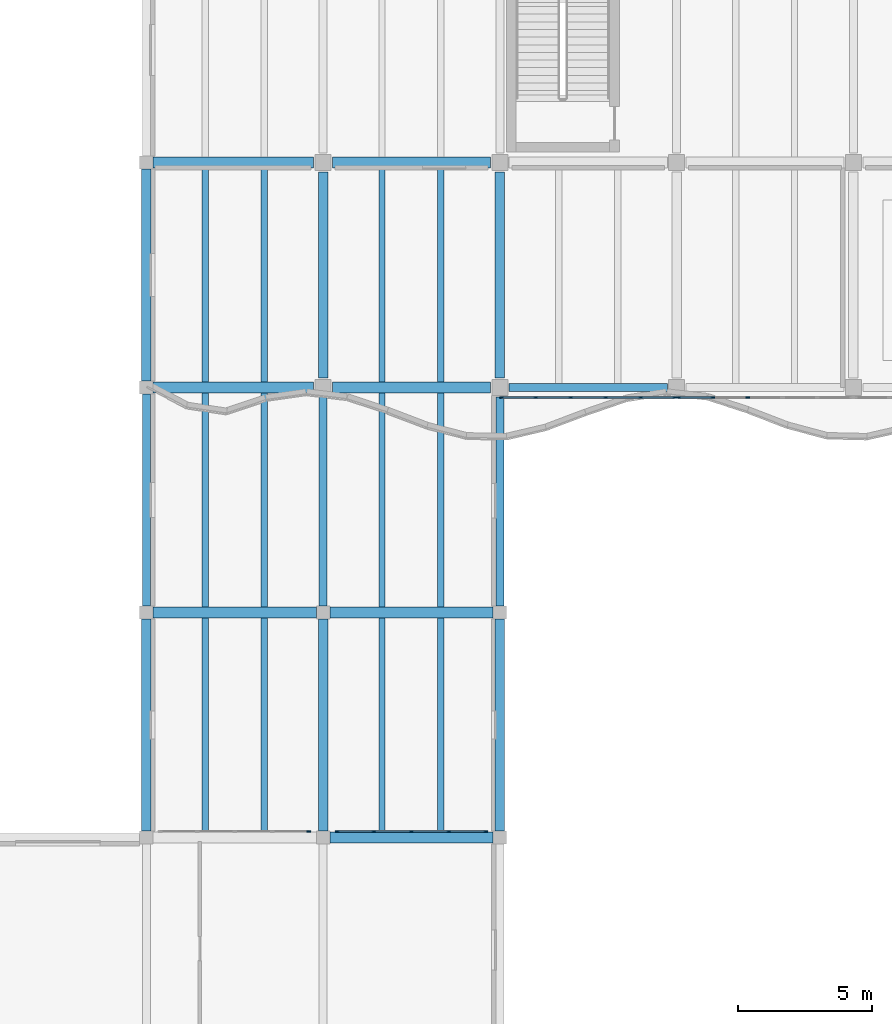
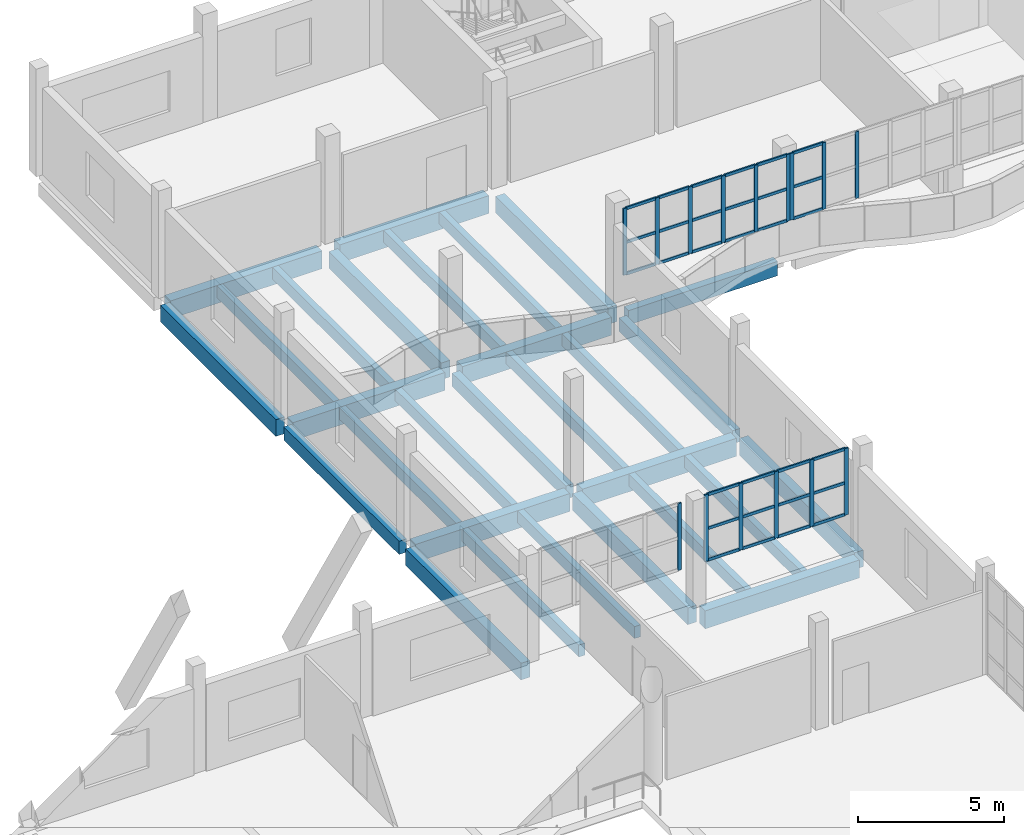
# One storey, part 8 of 76: 45 members, 29 beams, 4 elements without a shape of their own.
"""IFC4 building model written with IfcOpenShell, lengths in metres."""

from ifc_helpers import new_model, si_unit, direction, frame, origin, origin_2d, place, context, subcontext, project, spatial, rectangle, extrude, material, material_profile, profile_set, type_object, element, aggregate, save


model = new_model("IFC4")

# Units and contexts
model_context = context("Model", 3, precision=1e-05, world=origin(), true_north=direction((0.0, 1.0)))
body_context = subcontext(model_context, "Body", "Model", "MODEL_VIEW")
ifc_project = project(units=[si_unit("LENGTHUNIT", "METRE"), si_unit("AREAUNIT", "SQUARE_METRE"), si_unit("VOLUMEUNIT", "CUBIC_METRE"), si_unit("PLANEANGLEUNIT", "RADIAN"), si_unit("MASSUNIT", "GRAM", prefix="KILO")], contexts=[model_context])

# Site, building, storey
site_placement = place(None, origin())
site = spatial("IfcSite", under=ifc_project, at=site_placement, CompositionType="ELEMENT")
building_placement = place(site_placement, origin())
building = spatial("IfcBuilding", under=site, at=building_placement, Name="Qaldarim Faculty of Natural and Applied Sciences", CompositionType="ELEMENT")
storey_placement = place(building_placement, frame((0.0, 0.0, 9.89990234375)))
storey = spatial("IfcBuildingStorey", under=building, at=storey_placement, Name="L02", CompositionType="ELEMENT", Elevation=9.89990234375)

# Beams
ifc_material_1 = material(Name="Concrete C40/50", Category="concrete")
ifc_material_profile_1 = material_profile(ifc_material_1, rectangle(XDim=0.300048828125, YDim=0.550048828125, at=origin_2d()), Name="RC-B300x550")
ifc_profile_set_1 = profile_set([ifc_material_profile_1], Name="Concrete C40/50")
beam_type_1 = type_object("IfcBeamType", Name="FloorBeam-RC300x550", PredefinedType="BEAM", material=ifc_profile_set_1)
beam_1_placement = place(storey_placement, frame((33.0, 92.64990234375, -0.574951171875), z_axis=(0.0, 1.0, 0.0), x_axis=(-1.0, 0.0, 0.0)))
element("IfcBeam", 1, at=beam_1_placement, inside=storey, type_object=beam_type_1, Name="Beam RC-B300x550 L01 X06/Y12-Y13", PredefinedType="BEAM", context=body_context, shape_type="SweptSolid", body=[
    extrude(rectangle(XDim=0.300048828125, YDim=0.550048828125, at=origin_2d()), origin(), (0.0, 0.0, 1.0), 7.900146484375),
])
for number, where, z_axis, x_axis, name in (
    (2, (39.60009765625, 92.64990234375, -0.574951171875), (0.0, 1.0, 0.0), (-1.0, 0.0, 0.0), "Beam RC-B300x550 L01 X07/Y12-Y13"),
    (3, (46.199951171875, 92.64990234375, -0.574951171875), (0.0, 1.0, 0.0), (-1.0, 0.0, 0.0), "Beam RC-B300x550 L01 X08/Y12-Y13"),
):
    element("IfcBeam", number, at=place(storey_placement, frame(where, z_axis=z_axis, x_axis=x_axis)), inside=storey, type_object=beam_type_1, Name=name, PredefinedType="BEAM", context=body_context, shape_type="SweptSolid", body=[
        extrude(rectangle(XDim=0.300048828125, YDim=0.550048828125, at=origin_2d()), origin(), (0.0, 0.0, 1.0), 7.800048828125),
    ])
ifc_material_profile_2 = material_profile(ifc_material_1, rectangle(XDim=0.239990234375, YDim=0.5, at=origin_2d()), Name="RC-J240x500")
ifc_profile_set_2 = profile_set([ifc_material_profile_2], Name="Concrete C40/50")
beam_type_2 = type_object("IfcBeamType", Name="HeavyJoist-RC240x500", PredefinedType="JOIST", material=ifc_profile_set_2)
for number, where, z_axis, x_axis, name in (
    (4, (35.199951171875, 84.199951171875, -0.5498046875), (0.0, 1.0, 0.0), (-1.0, 0.0, 0.0), "Laboratory joist L01 bay X06Y11-1"),
    (5, (37.39990234375, 84.199951171875, -0.5498046875), (0.0, 1.0, 0.0), (-1.0, 0.0, 0.0), "Laboratory joist L01 bay X06Y11-2"),
    (6, (35.199951171875, 92.60009765625, -0.5498046875), (0.0, 1.0, 0.0), (-1.0, 0.0, 0.0), "Laboratory joist L01 bay X06Y12-1"),
    (7, (37.39990234375, 92.60009765625, -0.5498046875), (0.0, 1.0, 0.0), (-1.0, 0.0, 0.0), "Laboratory joist L01 bay X06Y12-2"),
    (8, (35.199951171875, 101.0, -0.5498046875), (0.0, 1.0, 0.0), (-1.0, 0.0, 0.0), "Laboratory joist L01 bay X06Y13-1"),
    (9, (37.39990234375, 101.0, -0.5498046875), (0.0, 1.0, 0.0), (-1.0, 0.0, 0.0), "Laboratory joist L01 bay X06Y13-2"),
    (10, (41.800048828125, 84.199951171875, -0.5498046875), (0.0, 1.0, 0.0), (-1.0, 0.0, 0.0), "Laboratory joist L01 bay X07Y11-1"),
    (11, (44.0, 84.199951171875, -0.5498046875), (0.0, 1.0, 0.0), (-1.0, 0.0, 0.0), "Laboratory joist L01 bay X07Y11-2"),
    (12, (41.800048828125, 92.60009765625, -0.5498046875), (0.0, 1.0, 0.0), (-1.0, 0.0, 0.0), "Laboratory joist L01 bay X07Y12-1"),
    (13, (44.0, 92.60009765625, -0.5498046875), (0.0, 1.0, 0.0), (-1.0, 0.0, 0.0), "Laboratory joist L01 bay X07Y12-2"),
    (14, (41.800048828125, 101.0, -0.5498046875), (0.0, 1.0, 0.0), (-1.0, 0.0, 0.0), "Laboratory joist L01 bay X07Y13-1"),
    (15, (44.0, 101.0, -0.5498046875), (0.0, 1.0, 0.0), (-1.0, 0.0, 0.0), "Laboratory joist L01 bay X07Y13-2"),
):
    element("IfcBeam", number, at=place(storey_placement, frame(where, z_axis=z_axis, x_axis=x_axis)), inside=storey, type_object=beam_type_2, Name=name, PredefinedType="JOIST", context=body_context, shape_type="SweptSolid", body=[
        extrude(rectangle(XDim=0.239990234375, YDim=0.5, at=origin_2d()), origin(), (0.0, 0.0, 1.0), 8.0),
    ])
ifc_material_2 = material(Name="Concrete C50/60", Category="concrete")
ifc_material_profile_3 = material_profile(ifc_material_2, rectangle(XDim=0.39990234375, YDim=0.75, at=origin_2d()), Name="RC-B400x750")
ifc_profile_set_3 = profile_set([ifc_material_profile_3], Name="Concrete C50/60")
beam_type_3 = type_object("IfcBeamType", Name="LabGirder-RC400x750", PredefinedType="BEAM", material=ifc_profile_set_3)
beam_2_placement = place(storey_placement, frame((39.85009765625, 84.0, -0.6748046875), z_axis=(1.0, 0.0, 0.0), x_axis=(0.0, 1.0, 0.0)))
element("IfcBeam", 16, at=beam_2_placement, inside=storey, type_object=beam_type_3, Name="Beam RC-B400x750 L01 X07-X08/Y11", PredefinedType="BEAM", context=body_context, shape_type="SweptSolid", body=[
    extrude(rectangle(XDim=0.39990234375, YDim=0.75, at=origin_2d()), origin(), (0.0, 0.0, 1.0), 6.099853515625),
])
beam_3_placement = place(storey_placement, frame((33.25, 92.39990234375, -0.6748046875), z_axis=(1.0, 0.0, 0.0), x_axis=(0.0, 1.0, 0.0)))
element("IfcBeam", 17, at=beam_3_placement, inside=storey, type_object=beam_type_3, Name="Beam RC-B400x750 L01 X06-X07/Y12", PredefinedType="BEAM", context=body_context, shape_type="SweptSolid", body=[
    extrude(rectangle(XDim=0.39990234375, YDim=0.75, at=origin_2d()), origin(), (0.0, 0.0, 1.0), 6.10009765625),
])
beam_4_placement = place(storey_placement, frame((39.85009765625, 92.39990234375, -0.6748046875), z_axis=(1.0, 0.0, 0.0), x_axis=(0.0, 1.0, 0.0)))
element("IfcBeam", 18, at=beam_4_placement, inside=storey, type_object=beam_type_3, Name="Beam RC-B400x750 L01 X07-X08/Y12", PredefinedType="BEAM", context=body_context, shape_type="SweptSolid", body=[
    extrude(rectangle(XDim=0.39990234375, YDim=0.75, at=origin_2d()), origin(), (0.0, 0.0, 1.0), 6.099853515625),
])
beam_5_placement = place(storey_placement, frame((33.25, 100.800048828125, -0.6748046875), z_axis=(1.0, 0.0, 0.0), x_axis=(0.0, 1.0, 0.0)))
element("IfcBeam", 19, at=beam_5_placement, inside=storey, type_object=beam_type_3, Name="Beam RC-B400x750 L01 X06-X07/Y13", PredefinedType="BEAM", context=body_context, shape_type="SweptSolid", body=[
    extrude(rectangle(XDim=0.39990234375, YDim=0.75, at=origin_2d()), origin(), (0.0, 0.0, 1.0), 6.0),
])
beam_6_placement = place(storey_placement, frame((39.949951171875, 100.800048828125, -0.6748046875), z_axis=(1.0, 0.0, 0.0), x_axis=(0.0, 1.0, 0.0)))
element("IfcBeam", 20, at=beam_6_placement, inside=storey, type_object=beam_type_3, Name="Beam RC-B400x750 L01 X07-X08/Y13", PredefinedType="BEAM", context=body_context, shape_type="SweptSolid", body=[
    extrude(rectangle(XDim=0.39990234375, YDim=0.75, at=origin_2d()), origin(), (0.0, 0.0, 1.0), 5.900146484375),
])
beam_7_placement = place(storey_placement, frame((33.25, 109.199951171875, -0.6748046875), z_axis=(1.0, 0.0, 0.0), x_axis=(0.0, 1.0, 0.0)))
element("IfcBeam", 21, at=beam_7_placement, inside=storey, type_object=beam_type_3, Name="Beam RC-B400x750 L01 X06-X07/Y14", PredefinedType="BEAM", context=body_context, shape_type="SweptSolid", body=[
    extrude(rectangle(XDim=0.39990234375, YDim=0.75, at=origin_2d()), origin(), (0.0, 0.0, 1.0), 6.0),
])
beam_8_placement = place(storey_placement, frame((39.949951171875, 109.199951171875, -0.6748046875), z_axis=(1.0, 0.0, 0.0), x_axis=(0.0, 1.0, 0.0)))
element("IfcBeam", 22, at=beam_8_placement, inside=storey, type_object=beam_type_3, Name="Beam RC-B400x750 L01 X07-X08/Y14", PredefinedType="BEAM", context=body_context, shape_type="SweptSolid", body=[
    extrude(rectangle(XDim=0.39990234375, YDim=0.75, at=origin_2d()), origin(), (0.0, 0.0, 1.0), 5.900146484375),
])

# Curtain wall, member
ifc_material_3 = material(Name="Anodised aluminium AW-6063", Category="aluminium")
curtain_wall_type = type_object("IfcCurtainWallType", Name="CurtainWallSystem-M1400", PredefinedType="USERDEFINED", material=ifc_material_3)
curtain_wall_1_placement = place(storey_placement, origin())
curtain_wall_1 = element("IfcCurtainWall", 23, at=curtain_wall_1_placement, inside=storey, type_object=curtain_wall_type, Name="Curtain wall CW-V4RIB-L02-X06", ObjectType="STICK CURTAIN WALL", PredefinedType="USERDEFINED")
ifc_material_profile_4 = material_profile(ifc_material_3, rectangle(XDim=0.06005859375, YDim=0.14990234375, at=origin_2d()), Name="ALU-M60x150")
ifc_profile_set_4 = profile_set([ifc_material_profile_4], Name="Anodised aluminium AW-6063")
member_type_1 = type_object("IfcMemberType", Name="Mullion-ALU60x150", PredefinedType="MULLION", material=ifc_profile_set_4)
member_1_placement = place(storey_placement, frame((39.070068359375, 84.219970703125, 1.4501953125), z_axis=(0.0, 0.0, 1.0), x_axis=(0.0, 1.0, 0.0)))
member_1 = element("IfcMember", 24, at=member_1_placement, type_object=member_type_1, Name="Mullion 5 of CW-V4RIB-L02-X06", PredefinedType="MULLION", context=body_context, shape_type="SweptSolid", body=[
    extrude(rectangle(XDim=0.06005859375, YDim=0.14990234375, at=origin_2d()), origin(), (0.0, 0.0, 1.0), 2.789794921875),
])
aggregate(curtain_wall_1, [member_1])

# Curtain wall, members
curtain_wall_2_placement = place(storey_placement, origin())
curtain_wall_2 = element("IfcCurtainWall", 25, at=curtain_wall_2_placement, inside=storey, type_object=curtain_wall_type, Name="Curtain wall CW-V4RIB-L02-X07", ObjectType="STICK CURTAIN WALL", PredefinedType="USERDEFINED")
member_2_placement = place(storey_placement, frame((40.1298828125, 84.219970703125, 1.4501953125), z_axis=(0.0, 0.0, 1.0), x_axis=(0.0, 1.0, 0.0)))
member_2 = element("IfcMember", 26, at=member_2_placement, type_object=member_type_1, Name="Mullion 1 of CW-V4RIB-L02-X07", PredefinedType="MULLION", context=body_context, shape_type="SweptSolid", body=[
    extrude(rectangle(XDim=0.06005859375, YDim=0.14990234375, at=origin_2d()), origin(), (0.0, 0.0, 1.0), 2.789794921875),
])
member_3_placement = place(storey_placement, frame((41.5, 84.219970703125, 1.4501953125), z_axis=(0.0, 0.0, 1.0), x_axis=(0.0, 1.0, 0.0)))
member_3 = element("IfcMember", 27, at=member_3_placement, type_object=member_type_1, Name="Mullion 2 of CW-V4RIB-L02-X07", PredefinedType="MULLION", context=body_context, shape_type="SweptSolid", body=[
    extrude(rectangle(XDim=0.06005859375, YDim=0.14990234375, at=origin_2d()), origin(), (0.0, 0.0, 1.0), 2.789794921875),
])
member_4_placement = place(storey_placement, frame((42.89990234375, 84.219970703125, 1.4501953125), z_axis=(0.0, 0.0, 1.0), x_axis=(0.0, 1.0, 0.0)))
member_4 = element("IfcMember", 28, at=member_4_placement, type_object=member_type_1, Name="Mullion 3 of CW-V4RIB-L02-X07", PredefinedType="MULLION", context=body_context, shape_type="SweptSolid", body=[
    extrude(rectangle(XDim=0.06005859375, YDim=0.14990234375, at=origin_2d()), origin(), (0.0, 0.0, 1.0), 2.789794921875),
])
member_5_placement = place(storey_placement, frame((44.300048828125, 84.219970703125, 1.4501953125), z_axis=(0.0, 0.0, 1.0), x_axis=(0.0, 1.0, 0.0)))
member_5 = element("IfcMember", 29, at=member_5_placement, type_object=member_type_1, Name="Mullion 4 of CW-V4RIB-L02-X07", PredefinedType="MULLION", context=body_context, shape_type="SweptSolid", body=[
    extrude(rectangle(XDim=0.06005859375, YDim=0.14990234375, at=origin_2d()), origin(), (0.0, 0.0, 1.0), 2.789794921875),
])
member_6_placement = place(storey_placement, frame((45.669921875, 84.219970703125, 1.4501953125), z_axis=(0.0, 0.0, 1.0), x_axis=(0.0, 1.0, 0.0)))
member_6 = element("IfcMember", 30, at=member_6_placement, type_object=member_type_1, Name="Mullion 5 of CW-V4RIB-L02-X07", PredefinedType="MULLION", context=body_context, shape_type="SweptSolid", body=[
    extrude(rectangle(XDim=0.06005859375, YDim=0.14990234375, at=origin_2d()), origin(), (0.0, 0.0, 1.0), 2.789794921875),
])

curtain_wall_3_placement = place(storey_placement, origin())
curtain_wall_3 = element("IfcCurtainWall", 31, at=curtain_wall_3_placement, inside=storey, type_object=curtain_wall_type, Name="Curtain wall CW-V4RIB-L02-X08", ObjectType="STICK CURTAIN WALL", PredefinedType="USERDEFINED")
member_7_placement = place(storey_placement, frame((46.27001953125, 100.419921875, 1.4501953125), z_axis=(0.0, 0.0, 1.0), x_axis=(0.0, 1.0, 0.0)))
member_7 = element("IfcMember", 32, at=member_7_placement, type_object=member_type_1, Name="Mullion 1 of CW-V4RIB-L02-X08", PredefinedType="MULLION", context=body_context, shape_type="SweptSolid", body=[
    extrude(rectangle(XDim=0.06005859375, YDim=0.14990234375, at=origin_2d()), origin(), (0.0, 0.0, 1.0), 2.789794921875),
])
member_8_placement = place(storey_placement, frame((47.5439453125, 100.419921875, 1.4501953125), z_axis=(0.0, 0.0, 1.0), x_axis=(0.0, 1.0, 0.0)))
member_8 = element("IfcMember", 33, at=member_8_placement, type_object=member_type_1, Name="Mullion 2 of CW-V4RIB-L02-X08", PredefinedType="MULLION", context=body_context, shape_type="SweptSolid", body=[
    extrude(rectangle(XDim=0.06005859375, YDim=0.14990234375, at=origin_2d()), origin(), (0.0, 0.0, 1.0), 2.789794921875),
])
member_9_placement = place(storey_placement, frame((48.847900390625, 100.419921875, 1.4501953125), z_axis=(0.0, 0.0, 1.0), x_axis=(0.0, 1.0, 0.0)))
member_9 = element("IfcMember", 34, at=member_9_placement, type_object=member_type_1, Name="Mullion 3 of CW-V4RIB-L02-X08", PredefinedType="MULLION", context=body_context, shape_type="SweptSolid", body=[
    extrude(rectangle(XDim=0.06005859375, YDim=0.14990234375, at=origin_2d()), origin(), (0.0, 0.0, 1.0), 2.789794921875),
])
member_10_placement = place(storey_placement, frame((50.152099609375, 100.419921875, 1.4501953125), z_axis=(0.0, 0.0, 1.0), x_axis=(0.0, 1.0, 0.0)))
member_10 = element("IfcMember", 35, at=member_10_placement, type_object=member_type_1, Name="Mullion 4 of CW-V4RIB-L02-X08", PredefinedType="MULLION", context=body_context, shape_type="SweptSolid", body=[
    extrude(rectangle(XDim=0.06005859375, YDim=0.14990234375, at=origin_2d()), origin(), (0.0, 0.0, 1.0), 2.789794921875),
])
member_11_placement = place(storey_placement, frame((51.4560546875, 100.419921875, 1.4501953125), z_axis=(0.0, 0.0, 1.0), x_axis=(0.0, 1.0, 0.0)))
member_11 = element("IfcMember", 36, at=member_11_placement, type_object=member_type_1, Name="Mullion 5 of CW-V4RIB-L02-X08", PredefinedType="MULLION", context=body_context, shape_type="SweptSolid", body=[
    extrude(rectangle(XDim=0.06005859375, YDim=0.14990234375, at=origin_2d()), origin(), (0.0, 0.0, 1.0), 2.789794921875),
])
member_12_placement = place(storey_placement, frame((52.72998046875, 100.419921875, 1.4501953125), z_axis=(0.0, 0.0, 1.0), x_axis=(0.0, 1.0, 0.0)))
member_12 = element("IfcMember", 37, at=member_12_placement, type_object=member_type_1, Name="Mullion 6 of CW-V4RIB-L02-X08", PredefinedType="MULLION", context=body_context, shape_type="SweptSolid", body=[
    extrude(rectangle(XDim=0.06005859375, YDim=0.14990234375, at=origin_2d()), origin(), (0.0, 0.0, 1.0), 2.789794921875),
])

curtain_wall_4_placement = place(storey_placement, origin())
curtain_wall_4 = element("IfcCurtainWall", 38, at=curtain_wall_4_placement, inside=storey, type_object=curtain_wall_type, Name="Curtain wall CW-V4RIB-L02-X09", ObjectType="STICK CURTAIN WALL", PredefinedType="USERDEFINED")
member_13_placement = place(storey_placement, frame((52.8701171875, 100.419921875, 1.4501953125), z_axis=(0.0, 0.0, 1.0), x_axis=(0.0, 1.0, 0.0)))
member_13 = element("IfcMember", 39, at=member_13_placement, type_object=member_type_1, Name="Mullion 1 of CW-V4RIB-L02-X09", PredefinedType="MULLION", context=body_context, shape_type="SweptSolid", body=[
    extrude(rectangle(XDim=0.06005859375, YDim=0.14990234375, at=origin_2d()), origin(), (0.0, 0.0, 1.0), 2.789794921875),
])
member_14_placement = place(storey_placement, frame((54.14404296875, 100.419921875, 1.4501953125), z_axis=(0.0, 0.0, 1.0), x_axis=(0.0, 1.0, 0.0)))
member_14 = element("IfcMember", 40, at=member_14_placement, type_object=member_type_1, Name="Mullion 2 of CW-V4RIB-L02-X09", PredefinedType="MULLION", context=body_context, shape_type="SweptSolid", body=[
    extrude(rectangle(XDim=0.06005859375, YDim=0.14990234375, at=origin_2d()), origin(), (0.0, 0.0, 1.0), 2.789794921875),
])
member_15_placement = place(storey_placement, frame((55.447998046875, 100.419921875, 1.4501953125), z_axis=(0.0, 0.0, 1.0), x_axis=(0.0, 1.0, 0.0)))
member_15 = element("IfcMember", 41, at=member_15_placement, type_object=member_type_1, Name="Mullion 3 of CW-V4RIB-L02-X09", PredefinedType="MULLION", context=body_context, shape_type="SweptSolid", body=[
    extrude(rectangle(XDim=0.06005859375, YDim=0.14990234375, at=origin_2d()), origin(), (0.0, 0.0, 1.0), 2.789794921875),
])

# Beams
ifc_material_profile_5 = material_profile(ifc_material_1, rectangle(XDim=0.35009765625, YDim=0.699951171875, at=origin_2d()), Name="RC-B350x700")
ifc_profile_set_5 = profile_set([ifc_material_profile_5], Name="Concrete C40/50")
beam_type_4 = type_object("IfcBeamType", Name="PrimaryGirder-RC350x700", PredefinedType="BEAM", material=ifc_profile_set_5)
for number, where, z_axis, x_axis, name in (
    (42, (33.0, 84.25, -0.64990234375), (0.0, 1.0, 0.0), (-1.0, 0.0, 0.0), "Beam RC-B350x700 L01 X06/Y11-Y12"),
    (43, (33.0, 101.050048828125, -0.64990234375), (0.0, 1.0, 0.0), (-1.0, 0.0, 0.0), "Beam RC-B350x700 L01 X06/Y13-Y14"),
    (44, (39.60009765625, 84.25, -0.64990234375), (0.0, 1.0, 0.0), (-1.0, 0.0, 0.0), "Beam RC-B350x700 L01 X07/Y11-Y12"),
):
    element("IfcBeam", number, at=place(storey_placement, frame(where, z_axis=z_axis, x_axis=x_axis)), inside=storey, type_object=beam_type_4, Name=name, PredefinedType="BEAM", context=body_context, shape_type="SweptSolid", body=[
        extrude(rectangle(XDim=0.35009765625, YDim=0.699951171875, at=origin_2d()), origin(), (0.0, 0.0, 1.0), 7.89990234375),
    ])
beam_9_placement = place(storey_placement, frame((39.60009765625, 101.14990234375, -0.64990234375), z_axis=(0.0, 1.0, 0.0), x_axis=(-1.0, 0.0, 0.0)))
element("IfcBeam", 45, at=beam_9_placement, inside=storey, type_object=beam_type_4, Name="Beam RC-B350x700 L01 X07/Y13-Y14", PredefinedType="BEAM", context=body_context, shape_type="SweptSolid", body=[
    extrude(rectangle(XDim=0.35009765625, YDim=0.699951171875, at=origin_2d()), origin(), (0.0, 0.0, 1.0), 7.7001953125),
])
beam_10_placement = place(storey_placement, frame((46.199951171875, 84.25, -0.64990234375), z_axis=(0.0, 1.0, 0.0), x_axis=(-1.0, 0.0, 0.0)))
element("IfcBeam", 46, at=beam_10_placement, inside=storey, type_object=beam_type_4, Name="Beam RC-B350x700 L01 X08/Y11-Y12", PredefinedType="BEAM", context=body_context, shape_type="SweptSolid", body=[
    extrude(rectangle(XDim=0.35009765625, YDim=0.699951171875, at=origin_2d()), origin(), (0.0, 0.0, 1.0), 7.89990234375),
])
beam_11_placement = place(storey_placement, frame((46.199951171875, 101.14990234375, -0.64990234375), z_axis=(0.0, 1.0, 0.0), x_axis=(-1.0, 0.0, 0.0)))
element("IfcBeam", 47, at=beam_11_placement, inside=storey, type_object=beam_type_4, Name="Beam RC-B350x700 L01 X08/Y13-Y14", PredefinedType="BEAM", context=body_context, shape_type="SweptSolid", body=[
    extrude(rectangle(XDim=0.35009765625, YDim=0.699951171875, at=origin_2d()), origin(), (0.0, 0.0, 1.0), 7.7001953125),
])
ifc_material_4 = material(Name="Precast concrete C40/50", Category="concrete")
ifc_material_profile_6 = material_profile(ifc_material_4, rectangle(XDim=0.300048828125, YDim=0.60009765625, at=origin_2d()), Name="RC-SP300x600")
ifc_profile_set_6 = profile_set([ifc_material_profile_6], Name="Precast concrete C40/50")
beam_type_5 = type_object("IfcBeamType", Name="SpandrelBeam-RC300x600", PredefinedType="SPANDREL", material=ifc_profile_set_6)
beam_12_placement = place(storey_placement, frame((46.550048828125, 100.800048828125, -0.599853515625), z_axis=(1.0, 0.0, 0.0), x_axis=(0.0, 1.0, 0.0)))
element("IfcBeam", 48, at=beam_12_placement, inside=storey, type_object=beam_type_5, Name="Beam RC-SP300x600 L01 X08-X09/Y13", PredefinedType="SPANDREL", context=body_context, shape_type="SweptSolid", body=[
    extrude(rectangle(XDim=0.300048828125, YDim=0.60009765625, at=origin_2d()), origin(), (0.0, 0.0, 1.0), 5.89990234375),
])

# Member
ifc_material_profile_7 = material_profile(ifc_material_3, rectangle(XDim=0.06005859375, YDim=0.1201171875, at=origin_2d()), Name="ALU-T60x120")
ifc_profile_set_7 = profile_set([ifc_material_profile_7], Name="Anodised aluminium AW-6063")
member_type_2 = type_object("IfcMemberType", Name="Transom-ALU60x120", PredefinedType="USERDEFINED", material=ifc_profile_set_7)
member_16_placement = place(storey_placement, frame((40.159912109375, 84.219970703125, 1.47998046875), z_axis=(1.0, 0.0, 0.0), x_axis=(0.0, 1.0, 0.0)))
member_16 = element("IfcMember", 49, at=member_16_placement, type_object=member_type_2, Name="Transom 1-1 of CW-V4RIB-L02-X07", ObjectType="TRANSOM", PredefinedType="USERDEFINED", context=body_context, shape_type="SweptSolid", body=[
    extrude(rectangle(XDim=0.06005859375, YDim=0.1201171875, at=origin_2d()), origin(), (0.0, 0.0, 1.0), 1.31005859375),
])

member_17_placement = place(storey_placement, frame((40.159912109375, 84.219970703125, 2.800048828125), z_axis=(1.0, 0.0, 0.0), x_axis=(0.0, 1.0, 0.0)))
member_17 = element("IfcMember", 50, at=member_17_placement, type_object=member_type_2, Name="Transom 1-2 of CW-V4RIB-L02-X07", ObjectType="TRANSOM", PredefinedType="USERDEFINED", context=body_context, shape_type="SweptSolid", body=[
    extrude(rectangle(XDim=0.06005859375, YDim=0.1201171875, at=origin_2d()), origin(), (0.0, 0.0, 1.0), 1.31005859375),
])

member_18_placement = place(storey_placement, frame((40.159912109375, 84.219970703125, 4.210205078125), z_axis=(1.0, 0.0, 0.0), x_axis=(0.0, 1.0, 0.0)))
member_18 = element("IfcMember", 51, at=member_18_placement, type_object=member_type_2, Name="Transom 1-3 of CW-V4RIB-L02-X07", ObjectType="TRANSOM", PredefinedType="USERDEFINED", context=body_context, shape_type="SweptSolid", body=[
    extrude(rectangle(XDim=0.06005859375, YDim=0.1201171875, at=origin_2d()), origin(), (0.0, 0.0, 1.0), 1.31005859375),
])

member_19_placement = place(storey_placement, frame((41.530029296875, 84.219970703125, 1.47998046875), z_axis=(1.0, 0.0, 0.0), x_axis=(0.0, 1.0, 0.0)))
member_19 = element("IfcMember", 52, at=member_19_placement, type_object=member_type_2, Name="Transom 2-1 of CW-V4RIB-L02-X07", ObjectType="TRANSOM", PredefinedType="USERDEFINED", context=body_context, shape_type="SweptSolid", body=[
    extrude(rectangle(XDim=0.06005859375, YDim=0.1201171875, at=origin_2d()), origin(), (0.0, 0.0, 1.0), 1.340087890625),
])

member_20_placement = place(storey_placement, frame((41.530029296875, 84.219970703125, 2.800048828125), z_axis=(1.0, 0.0, 0.0), x_axis=(0.0, 1.0, 0.0)))
member_20 = element("IfcMember", 53, at=member_20_placement, type_object=member_type_2, Name="Transom 2-2 of CW-V4RIB-L02-X07", ObjectType="TRANSOM", PredefinedType="USERDEFINED", context=body_context, shape_type="SweptSolid", body=[
    extrude(rectangle(XDim=0.06005859375, YDim=0.1201171875, at=origin_2d()), origin(), (0.0, 0.0, 1.0), 1.340087890625),
])

member_21_placement = place(storey_placement, frame((41.530029296875, 84.219970703125, 4.210205078125), z_axis=(1.0, 0.0, 0.0), x_axis=(0.0, 1.0, 0.0)))
member_21 = element("IfcMember", 54, at=member_21_placement, type_object=member_type_2, Name="Transom 2-3 of CW-V4RIB-L02-X07", ObjectType="TRANSOM", PredefinedType="USERDEFINED", context=body_context, shape_type="SweptSolid", body=[
    extrude(rectangle(XDim=0.06005859375, YDim=0.1201171875, at=origin_2d()), origin(), (0.0, 0.0, 1.0), 1.340087890625),
])

member_22_placement = place(storey_placement, frame((42.929931640625, 84.219970703125, 1.47998046875), z_axis=(1.0, 0.0, 0.0), x_axis=(0.0, 1.0, 0.0)))
member_22 = element("IfcMember", 55, at=member_22_placement, type_object=member_type_2, Name="Transom 3-1 of CW-V4RIB-L02-X07", ObjectType="TRANSOM", PredefinedType="USERDEFINED", context=body_context, shape_type="SweptSolid", body=[
    extrude(rectangle(XDim=0.06005859375, YDim=0.1201171875, at=origin_2d()), origin(), (0.0, 0.0, 1.0), 1.340087890625),
])

member_23_placement = place(storey_placement, frame((42.929931640625, 84.219970703125, 2.800048828125), z_axis=(1.0, 0.0, 0.0), x_axis=(0.0, 1.0, 0.0)))
member_23 = element("IfcMember", 56, at=member_23_placement, type_object=member_type_2, Name="Transom 3-2 of CW-V4RIB-L02-X07", ObjectType="TRANSOM", PredefinedType="USERDEFINED", context=body_context, shape_type="SweptSolid", body=[
    extrude(rectangle(XDim=0.06005859375, YDim=0.1201171875, at=origin_2d()), origin(), (0.0, 0.0, 1.0), 1.340087890625),
])

member_24_placement = place(storey_placement, frame((42.929931640625, 84.219970703125, 4.210205078125), z_axis=(1.0, 0.0, 0.0), x_axis=(0.0, 1.0, 0.0)))
member_24 = element("IfcMember", 57, at=member_24_placement, type_object=member_type_2, Name="Transom 3-3 of CW-V4RIB-L02-X07", ObjectType="TRANSOM", PredefinedType="USERDEFINED", context=body_context, shape_type="SweptSolid", body=[
    extrude(rectangle(XDim=0.06005859375, YDim=0.1201171875, at=origin_2d()), origin(), (0.0, 0.0, 1.0), 1.340087890625),
])

member_25_placement = place(storey_placement, frame((44.330078125, 84.219970703125, 1.47998046875), z_axis=(1.0, 0.0, 0.0), x_axis=(0.0, 1.0, 0.0)))
member_25 = element("IfcMember", 58, at=member_25_placement, type_object=member_type_2, Name="Transom 4-1 of CW-V4RIB-L02-X07", ObjectType="TRANSOM", PredefinedType="USERDEFINED", context=body_context, shape_type="SweptSolid", body=[
    extrude(rectangle(XDim=0.06005859375, YDim=0.1201171875, at=origin_2d()), origin(), (0.0, 0.0, 1.0), 1.309814453125),
])

member_26_placement = place(storey_placement, frame((44.330078125, 84.219970703125, 2.800048828125), z_axis=(1.0, 0.0, 0.0), x_axis=(0.0, 1.0, 0.0)))
member_26 = element("IfcMember", 59, at=member_26_placement, type_object=member_type_2, Name="Transom 4-2 of CW-V4RIB-L02-X07", ObjectType="TRANSOM", PredefinedType="USERDEFINED", context=body_context, shape_type="SweptSolid", body=[
    extrude(rectangle(XDim=0.06005859375, YDim=0.1201171875, at=origin_2d()), origin(), (0.0, 0.0, 1.0), 1.309814453125),
])

member_27_placement = place(storey_placement, frame((44.330078125, 84.219970703125, 4.210205078125), z_axis=(1.0, 0.0, 0.0), x_axis=(0.0, 1.0, 0.0)))
member_27 = element("IfcMember", 60, at=member_27_placement, type_object=member_type_2, Name="Transom 4-3 of CW-V4RIB-L02-X07", ObjectType="TRANSOM", PredefinedType="USERDEFINED", context=body_context, shape_type="SweptSolid", body=[
    extrude(rectangle(XDim=0.06005859375, YDim=0.1201171875, at=origin_2d()), origin(), (0.0, 0.0, 1.0), 1.309814453125),
])

aggregate(curtain_wall_2, [member_2, member_3, member_4, member_5, member_6, member_16, member_17, member_18, member_19, member_20, member_21, member_22, member_23, member_24, member_25, member_26, member_27])

member_28_placement = place(storey_placement, frame((46.300048828125, 100.419921875, 1.47998046875), z_axis=(1.0, 0.0, 0.0), x_axis=(0.0, 1.0, 0.0)))
member_28 = element("IfcMember", 61, at=member_28_placement, type_object=member_type_2, Name="Transom 1-1 of CW-V4RIB-L02-X08", ObjectType="TRANSOM", PredefinedType="USERDEFINED", context=body_context, shape_type="SweptSolid", body=[
    extrude(rectangle(XDim=0.06005859375, YDim=0.1201171875, at=origin_2d()), origin(), (0.0, 0.0, 1.0), 1.2138671875),
])

member_29_placement = place(storey_placement, frame((46.300048828125, 100.419921875, 2.800048828125), z_axis=(1.0, 0.0, 0.0), x_axis=(0.0, 1.0, 0.0)))
member_29 = element("IfcMember", 62, at=member_29_placement, type_object=member_type_2, Name="Transom 1-2 of CW-V4RIB-L02-X08", ObjectType="TRANSOM", PredefinedType="USERDEFINED", context=body_context, shape_type="SweptSolid", body=[
    extrude(rectangle(XDim=0.06005859375, YDim=0.1201171875, at=origin_2d()), origin(), (0.0, 0.0, 1.0), 1.2138671875),
])

member_30_placement = place(storey_placement, frame((46.300048828125, 100.419921875, 4.210205078125), z_axis=(1.0, 0.0, 0.0), x_axis=(0.0, 1.0, 0.0)))
member_30 = element("IfcMember", 63, at=member_30_placement, type_object=member_type_2, Name="Transom 1-3 of CW-V4RIB-L02-X08", ObjectType="TRANSOM", PredefinedType="USERDEFINED", context=body_context, shape_type="SweptSolid", body=[
    extrude(rectangle(XDim=0.06005859375, YDim=0.1201171875, at=origin_2d()), origin(), (0.0, 0.0, 1.0), 1.2138671875),
])

member_31_placement = place(storey_placement, frame((47.573974609375, 100.419921875, 1.47998046875), z_axis=(1.0, 0.0, 0.0), x_axis=(0.0, 1.0, 0.0)))
member_31 = element("IfcMember", 64, at=member_31_placement, type_object=member_type_2, Name="Transom 2-1 of CW-V4RIB-L02-X08", ObjectType="TRANSOM", PredefinedType="USERDEFINED", context=body_context, shape_type="SweptSolid", body=[
    extrude(rectangle(XDim=0.06005859375, YDim=0.1201171875, at=origin_2d()), origin(), (0.0, 0.0, 1.0), 1.244140625),
])

member_32_placement = place(storey_placement, frame((47.573974609375, 100.419921875, 2.800048828125), z_axis=(1.0, 0.0, 0.0), x_axis=(0.0, 1.0, 0.0)))
member_32 = element("IfcMember", 65, at=member_32_placement, type_object=member_type_2, Name="Transom 2-2 of CW-V4RIB-L02-X08", ObjectType="TRANSOM", PredefinedType="USERDEFINED", context=body_context, shape_type="SweptSolid", body=[
    extrude(rectangle(XDim=0.06005859375, YDim=0.1201171875, at=origin_2d()), origin(), (0.0, 0.0, 1.0), 1.244140625),
])

member_33_placement = place(storey_placement, frame((47.573974609375, 100.419921875, 4.210205078125), z_axis=(1.0, 0.0, 0.0), x_axis=(0.0, 1.0, 0.0)))
member_33 = element("IfcMember", 66, at=member_33_placement, type_object=member_type_2, Name="Transom 2-3 of CW-V4RIB-L02-X08", ObjectType="TRANSOM", PredefinedType="USERDEFINED", context=body_context, shape_type="SweptSolid", body=[
    extrude(rectangle(XDim=0.06005859375, YDim=0.1201171875, at=origin_2d()), origin(), (0.0, 0.0, 1.0), 1.244140625),
])

member_34_placement = place(storey_placement, frame((48.8779296875, 100.419921875, 1.47998046875), z_axis=(1.0, 0.0, 0.0), x_axis=(0.0, 1.0, 0.0)))
member_34 = element("IfcMember", 67, at=member_34_placement, type_object=member_type_2, Name="Transom 3-1 of CW-V4RIB-L02-X08", ObjectType="TRANSOM", PredefinedType="USERDEFINED", context=body_context, shape_type="SweptSolid", body=[
    extrude(rectangle(XDim=0.06005859375, YDim=0.1201171875, at=origin_2d()), origin(), (0.0, 0.0, 1.0), 1.244140625),
])

member_35_placement = place(storey_placement, frame((48.8779296875, 100.419921875, 2.800048828125), z_axis=(1.0, 0.0, 0.0), x_axis=(0.0, 1.0, 0.0)))
member_35 = element("IfcMember", 68, at=member_35_placement, type_object=member_type_2, Name="Transom 3-2 of CW-V4RIB-L02-X08", ObjectType="TRANSOM", PredefinedType="USERDEFINED", context=body_context, shape_type="SweptSolid", body=[
    extrude(rectangle(XDim=0.06005859375, YDim=0.1201171875, at=origin_2d()), origin(), (0.0, 0.0, 1.0), 1.244140625),
])

member_36_placement = place(storey_placement, frame((48.8779296875, 100.419921875, 4.210205078125), z_axis=(1.0, 0.0, 0.0), x_axis=(0.0, 1.0, 0.0)))
member_36 = element("IfcMember", 69, at=member_36_placement, type_object=member_type_2, Name="Transom 3-3 of CW-V4RIB-L02-X08", ObjectType="TRANSOM", PredefinedType="USERDEFINED", context=body_context, shape_type="SweptSolid", body=[
    extrude(rectangle(XDim=0.06005859375, YDim=0.1201171875, at=origin_2d()), origin(), (0.0, 0.0, 1.0), 1.244140625),
])

member_37_placement = place(storey_placement, frame((50.181884765625, 100.419921875, 1.47998046875), z_axis=(1.0, 0.0, 0.0), x_axis=(0.0, 1.0, 0.0)))
member_37 = element("IfcMember", 70, at=member_37_placement, type_object=member_type_2, Name="Transom 4-1 of CW-V4RIB-L02-X08", ObjectType="TRANSOM", PredefinedType="USERDEFINED", context=body_context, shape_type="SweptSolid", body=[
    extrude(rectangle(XDim=0.06005859375, YDim=0.1201171875, at=origin_2d()), origin(), (0.0, 0.0, 1.0), 1.244140625),
])

member_38_placement = place(storey_placement, frame((50.181884765625, 100.419921875, 2.800048828125), z_axis=(1.0, 0.0, 0.0), x_axis=(0.0, 1.0, 0.0)))
member_38 = element("IfcMember", 71, at=member_38_placement, type_object=member_type_2, Name="Transom 4-2 of CW-V4RIB-L02-X08", ObjectType="TRANSOM", PredefinedType="USERDEFINED", context=body_context, shape_type="SweptSolid", body=[
    extrude(rectangle(XDim=0.06005859375, YDim=0.1201171875, at=origin_2d()), origin(), (0.0, 0.0, 1.0), 1.244140625),
])

member_39_placement = place(storey_placement, frame((50.181884765625, 100.419921875, 4.210205078125), z_axis=(1.0, 0.0, 0.0), x_axis=(0.0, 1.0, 0.0)))
member_39 = element("IfcMember", 72, at=member_39_placement, type_object=member_type_2, Name="Transom 4-3 of CW-V4RIB-L02-X08", ObjectType="TRANSOM", PredefinedType="USERDEFINED", context=body_context, shape_type="SweptSolid", body=[
    extrude(rectangle(XDim=0.06005859375, YDim=0.1201171875, at=origin_2d()), origin(), (0.0, 0.0, 1.0), 1.244140625),
])

member_40_placement = place(storey_placement, frame((51.486083984375, 100.419921875, 1.47998046875), z_axis=(1.0, 0.0, 0.0), x_axis=(0.0, 1.0, 0.0)))
member_40 = element("IfcMember", 73, at=member_40_placement, type_object=member_type_2, Name="Transom 5-1 of CW-V4RIB-L02-X08", ObjectType="TRANSOM", PredefinedType="USERDEFINED", context=body_context, shape_type="SweptSolid", body=[
    extrude(rectangle(XDim=0.06005859375, YDim=0.1201171875, at=origin_2d()), origin(), (0.0, 0.0, 1.0), 1.2138671875),
])

member_41_placement = place(storey_placement, frame((51.486083984375, 100.419921875, 2.800048828125), z_axis=(1.0, 0.0, 0.0), x_axis=(0.0, 1.0, 0.0)))
member_41 = element("IfcMember", 74, at=member_41_placement, type_object=member_type_2, Name="Transom 5-2 of CW-V4RIB-L02-X08", ObjectType="TRANSOM", PredefinedType="USERDEFINED", context=body_context, shape_type="SweptSolid", body=[
    extrude(rectangle(XDim=0.06005859375, YDim=0.1201171875, at=origin_2d()), origin(), (0.0, 0.0, 1.0), 1.2138671875),
])

member_42_placement = place(storey_placement, frame((51.486083984375, 100.419921875, 4.210205078125), z_axis=(1.0, 0.0, 0.0), x_axis=(0.0, 1.0, 0.0)))
member_42 = element("IfcMember", 75, at=member_42_placement, type_object=member_type_2, Name="Transom 5-3 of CW-V4RIB-L02-X08", ObjectType="TRANSOM", PredefinedType="USERDEFINED", context=body_context, shape_type="SweptSolid", body=[
    extrude(rectangle(XDim=0.06005859375, YDim=0.1201171875, at=origin_2d()), origin(), (0.0, 0.0, 1.0), 1.2138671875),
])

aggregate(curtain_wall_3, [member_7, member_8, member_9, member_10, member_11, member_12, member_28, member_29, member_30, member_31, member_32, member_33, member_34, member_35, member_36, member_37, member_38, member_39, member_40, member_41, member_42])

member_43_placement = place(storey_placement, frame((52.89990234375, 100.419921875, 1.47998046875), z_axis=(1.0, 0.0, 0.0), x_axis=(0.0, 1.0, 0.0)))
member_43 = element("IfcMember", 76, at=member_43_placement, type_object=member_type_2, Name="Transom 1-1 of CW-V4RIB-L02-X09", ObjectType="TRANSOM", PredefinedType="USERDEFINED", context=body_context, shape_type="SweptSolid", body=[
    extrude(rectangle(XDim=0.06005859375, YDim=0.1201171875, at=origin_2d()), origin(), (0.0, 0.0, 1.0), 1.214111328125),
])

member_44_placement = place(storey_placement, frame((52.89990234375, 100.419921875, 2.800048828125), z_axis=(1.0, 0.0, 0.0), x_axis=(0.0, 1.0, 0.0)))
member_44 = element("IfcMember", 77, at=member_44_placement, type_object=member_type_2, Name="Transom 1-2 of CW-V4RIB-L02-X09", ObjectType="TRANSOM", PredefinedType="USERDEFINED", context=body_context, shape_type="SweptSolid", body=[
    extrude(rectangle(XDim=0.06005859375, YDim=0.1201171875, at=origin_2d()), origin(), (0.0, 0.0, 1.0), 1.214111328125),
])

member_45_placement = place(storey_placement, frame((52.89990234375, 100.419921875, 4.210205078125), z_axis=(1.0, 0.0, 0.0), x_axis=(0.0, 1.0, 0.0)))
member_45 = element("IfcMember", 78, at=member_45_placement, type_object=member_type_2, Name="Transom 1-3 of CW-V4RIB-L02-X09", ObjectType="TRANSOM", PredefinedType="USERDEFINED", context=body_context, shape_type="SweptSolid", body=[
    extrude(rectangle(XDim=0.06005859375, YDim=0.1201171875, at=origin_2d()), origin(), (0.0, 0.0, 1.0), 1.214111328125),
])

aggregate(curtain_wall_4, [member_13, member_14, member_15, member_43, member_44, member_45])

save(model, "model.ifc")
